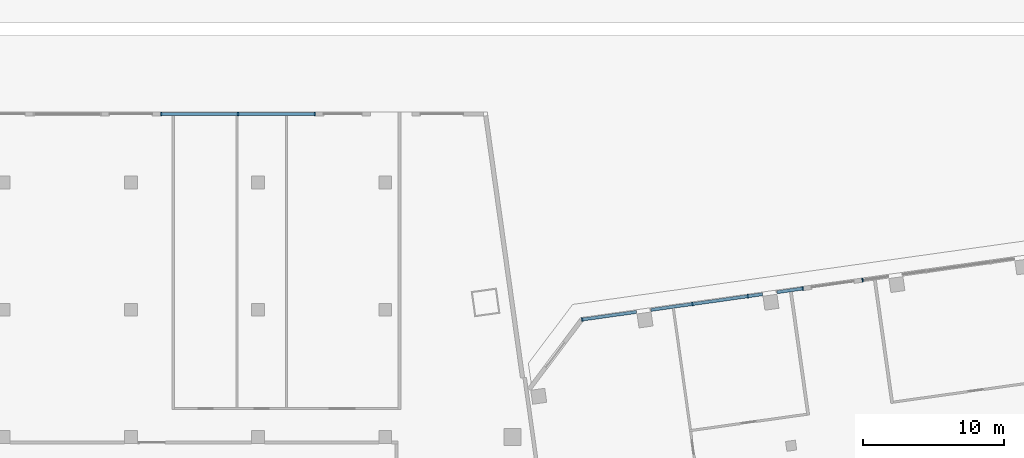
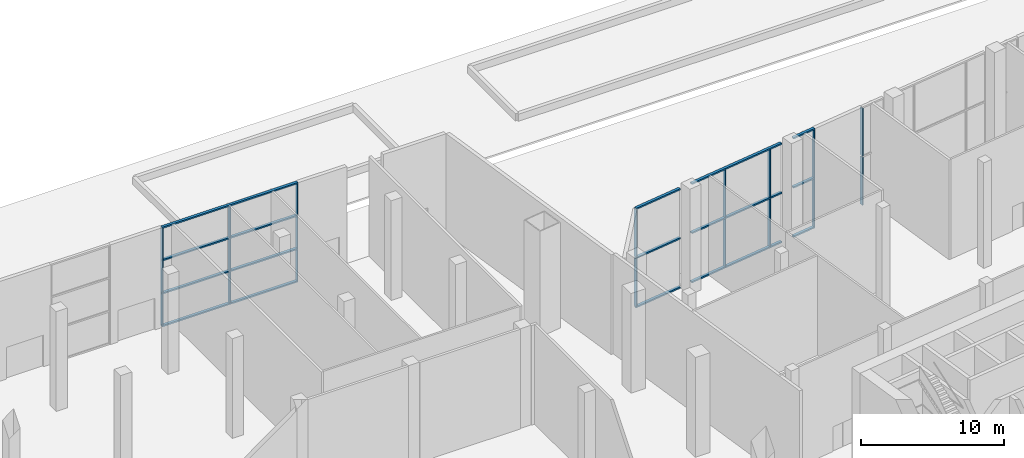
# One storey, part 6 of 34: 32 members, 3 elements without a shape of their own.
"""IFC4 building model written with IfcOpenShell, lengths in metres."""

from ifc_helpers import new_model, si_unit, direction, frame, origin, origin_2d, place, context, subcontext, project, spatial, rectangle, extrude, material, material_profile, profile_set, type_object, element, aggregate, save


model = new_model("IFC4")

# Units and contexts
model_context = context("Model", 3, precision=1e-05, world=origin(), true_north=direction((0.0, 1.0)))
body_context = subcontext(model_context, "Body", "Model", "MODEL_VIEW")
ifc_project = project(units=[si_unit("LENGTHUNIT", "METRE"), si_unit("AREAUNIT", "SQUARE_METRE"), si_unit("VOLUMEUNIT", "CUBIC_METRE"), si_unit("PLANEANGLEUNIT", "RADIAN"), si_unit("MASSUNIT", "GRAM", prefix="KILO")], contexts=[model_context])

# Site, building, storey
site_placement = place(None, origin())
site = spatial("IfcSite", under=ifc_project, at=site_placement, CompositionType="ELEMENT")
building_placement = place(site_placement, origin())
building = spatial("IfcBuilding", under=site, at=building_placement, Name="Mirante Cascada Hotel Towers", CompositionType="ELEMENT")
storey_placement = place(building_placement, origin())
storey = spatial("IfcBuildingStorey", under=building, at=storey_placement, Name="L00", CompositionType="ELEMENT", Elevation=0.0)

# Curtain wall, members
ifc_material_1 = material(Name="Aluminium mullion and transom frame with clear laminated glass", Category="aluminium")
curtain_wall_type = type_object("IfcCurtainWallType", Name="Podium curtain wall ECW3", PredefinedType="NOTDEFINED", material=ifc_material_1)
curtain_wall_1_placement = place(storey_placement, origin())
curtain_wall_1 = element("IfcCurtainWall", 1, at=curtain_wall_1_placement, inside=storey, type_object=curtain_wall_type, Name="Podium curtain wall L00 run front.5", PredefinedType="NOTDEFINED")
ifc_material_2 = material(Name="Anodised aluminium extrusion", Category="aluminium")
ifc_material_profile_1 = material_profile(ifc_material_2, rectangle(XDim=0.26, YDim=0.08, at=origin_2d()), Name="ECW3 MULLION 80x260")
ifc_profile_set_1 = profile_set([ifc_material_profile_1], Name="Anodised aluminium extrusion")
member_type_1 = type_object("IfcMemberType", Name="ECW3 mullion 80x260", PredefinedType="MULLION", material=ifc_profile_set_1)
member_1_placement = place(storey_placement, frame((51.7768, 20.0958, 0.12), z_axis=(0.0, 0.0, 1.0), x_axis=(0.1391731, -0.9902681, 0.0)))
member_1 = element("IfcMember", 2, at=member_1_placement, type_object=member_type_1, Name="ECW3 mullion 4", PredefinedType="MULLION", context=body_context, shape_type="SweptSolid", body=[
    extrude(rectangle(XDim=0.26, YDim=0.08, at=origin_2d()), origin(), (0.0, 0.0, 1.0), 4.07),
])
member_2_placement = place(storey_placement, frame((51.7768, 20.0958, 4.31), z_axis=(0.0, 0.0, 1.0), x_axis=(0.1391731, -0.9902681, 0.0)))
member_2 = element("IfcMember", 3, at=member_2_placement, type_object=member_type_1, Name="ECW3 mullion 4", PredefinedType="MULLION", context=body_context, shape_type="SweptSolid", body=[
    extrude(rectangle(XDim=0.26, YDim=0.08, at=origin_2d()), origin(), (0.0, 0.0, 1.0), 4.07),
])
aggregate(curtain_wall_1, [member_1, member_2])

curtain_wall_2_placement = place(storey_placement, origin())
curtain_wall_2 = element("IfcCurtainWall", 4, at=curtain_wall_2_placement, inside=storey, type_object=curtain_wall_type, Name="Podium curtain wall L00 run front.7", PredefinedType="NOTDEFINED")
member_3_placement = place(storey_placement, frame((47.5384, 19.5001, 0.12), z_axis=(0.0, 0.0, 1.0), x_axis=(0.1391731, -0.9902681, 0.0)))
member_3 = element("IfcMember", 5, at=member_3_placement, type_object=member_type_1, Name="ECW3 mullion 1", PredefinedType="MULLION", context=body_context, shape_type="SweptSolid", body=[
    extrude(rectangle(XDim=0.26, YDim=0.08, at=origin_2d()), origin(), (0.0, 0.0, 1.0), 4.07),
])
member_4_placement = place(storey_placement, frame((47.5384, 19.5001, 4.31), z_axis=(0.0, 0.0, 1.0), x_axis=(0.1391731, -0.9902681, 0.0)))
member_4 = element("IfcMember", 6, at=member_4_placement, type_object=member_type_1, Name="ECW3 mullion 1", PredefinedType="MULLION", context=body_context, shape_type="SweptSolid", body=[
    extrude(rectangle(XDim=0.26, YDim=0.08, at=origin_2d()), origin(), (0.0, 0.0, 1.0), 4.07),
])
member_5_placement = place(storey_placement, frame((43.6571, 18.9546, 0.12), z_axis=(0.0, 0.0, 1.0), x_axis=(0.1391731, -0.9902681, 0.0)))
member_5 = element("IfcMember", 7, at=member_5_placement, type_object=member_type_1, Name="ECW3 mullion 2", PredefinedType="MULLION", context=body_context, shape_type="SweptSolid", body=[
    extrude(rectangle(XDim=0.26, YDim=0.08, at=origin_2d()), origin(), (0.0, 0.0, 1.0), 4.07),
])
member_6_placement = place(storey_placement, frame((43.6571, 18.9546, 4.31), z_axis=(0.0, 0.0, 1.0), x_axis=(0.1391731, -0.9902681, 0.0)))
member_6 = element("IfcMember", 8, at=member_6_placement, type_object=member_type_1, Name="ECW3 mullion 2", PredefinedType="MULLION", context=body_context, shape_type="SweptSolid", body=[
    extrude(rectangle(XDim=0.26, YDim=0.08, at=origin_2d()), origin(), (0.0, 0.0, 1.0), 4.07),
])
member_7_placement = place(storey_placement, frame((39.7362, 18.4036, 0.12), z_axis=(0.0, 0.0, 1.0), x_axis=(0.1391731, -0.9902681, 0.0)))
member_7 = element("IfcMember", 9, at=member_7_placement, type_object=member_type_1, Name="ECW3 mullion 3", PredefinedType="MULLION", context=body_context, shape_type="SweptSolid", body=[
    extrude(rectangle(XDim=0.26, YDim=0.08, at=origin_2d()), origin(), (0.0, 0.0, 1.0), 4.07),
])
member_8_placement = place(storey_placement, frame((39.7362, 18.4036, 4.31), z_axis=(0.0, 0.0, 1.0), x_axis=(0.1391731, -0.9902681, 0.0)))
member_8 = element("IfcMember", 10, at=member_8_placement, type_object=member_type_1, Name="ECW3 mullion 3", PredefinedType="MULLION", context=body_context, shape_type="SweptSolid", body=[
    extrude(rectangle(XDim=0.26, YDim=0.08, at=origin_2d()), origin(), (0.0, 0.0, 1.0), 4.07),
])
member_9_placement = place(storey_placement, frame((31.9339, 17.307, 0.12), z_axis=(0.0, 0.0, 1.0), x_axis=(0.1391731, -0.9902681, 0.0)))
member_9 = element("IfcMember", 11, at=member_9_placement, type_object=member_type_1, Name="ECW3 mullion 5", PredefinedType="MULLION", context=body_context, shape_type="SweptSolid", body=[
    extrude(rectangle(XDim=0.26, YDim=0.08, at=origin_2d()), origin(), (0.0, 0.0, 1.0), 4.07),
])
member_10_placement = place(storey_placement, frame((31.9339, 17.307, 4.31), z_axis=(0.0, 0.0, 1.0), x_axis=(0.1391731, -0.9902681, 0.0)))
member_10 = element("IfcMember", 12, at=member_10_placement, type_object=member_type_1, Name="ECW3 mullion 5", PredefinedType="MULLION", context=body_context, shape_type="SweptSolid", body=[
    extrude(rectangle(XDim=0.26, YDim=0.08, at=origin_2d()), origin(), (0.0, 0.0, 1.0), 4.07),
])

curtain_wall_3_placement = place(storey_placement, origin())
curtain_wall_3 = element("IfcCurtainWall", 13, at=curtain_wall_3_placement, inside=storey, type_object=curtain_wall_type, Name="Podium curtain wall L00 run 4.3", PredefinedType="NOTDEFINED")
member_11_placement = place(storey_placement, frame((13.01, 31.85, 0.12), z_axis=(0.0, 0.0, 1.0), x_axis=(0.0, -1.0, 0.0)))
member_11 = element("IfcMember", 14, at=member_11_placement, type_object=member_type_1, Name="ECW3 mullion 1", PredefinedType="MULLION", context=body_context, shape_type="SweptSolid", body=[
    extrude(rectangle(XDim=0.26, YDim=0.08, at=origin_2d()), origin(), (0.0, 0.0, 1.0), 2.6533),
])
member_12_placement = place(storey_placement, frame((13.01, 31.85, 2.8933), z_axis=(0.0, 0.0, 1.0), x_axis=(0.0, -1.0, 0.0)))
member_12 = element("IfcMember", 15, at=member_12_placement, type_object=member_type_1, Name="ECW3 mullion 1", PredefinedType="MULLION", context=body_context, shape_type="SweptSolid", body=[
    extrude(rectangle(XDim=0.26, YDim=0.08, at=origin_2d()), origin(), (0.0, 0.0, 1.0), 2.7134),
])
member_13_placement = place(storey_placement, frame((13.01, 31.85, 5.7267), z_axis=(0.0, 0.0, 1.0), x_axis=(0.0, -1.0, 0.0)))
member_13 = element("IfcMember", 16, at=member_13_placement, type_object=member_type_1, Name="ECW3 mullion 1", PredefinedType="MULLION", context=body_context, shape_type="SweptSolid", body=[
    extrude(rectangle(XDim=0.26, YDim=0.08, at=origin_2d()), origin(), (0.0, 0.0, 1.0), 2.6533),
])
member_14_placement = place(storey_placement, frame((7.575, 31.85, 0.12), z_axis=(0.0, 0.0, 1.0), x_axis=(0.0, -1.0, 0.0)))
member_14 = element("IfcMember", 17, at=member_14_placement, type_object=member_type_1, Name="ECW3 mullion 2", PredefinedType="MULLION", context=body_context, shape_type="SweptSolid", body=[
    extrude(rectangle(XDim=0.26, YDim=0.08, at=origin_2d()), origin(), (0.0, 0.0, 1.0), 2.6533),
])
member_15_placement = place(storey_placement, frame((7.575, 31.85, 2.8933), z_axis=(0.0, 0.0, 1.0), x_axis=(0.0, -1.0, 0.0)))
member_15 = element("IfcMember", 18, at=member_15_placement, type_object=member_type_1, Name="ECW3 mullion 2", PredefinedType="MULLION", context=body_context, shape_type="SweptSolid", body=[
    extrude(rectangle(XDim=0.26, YDim=0.08, at=origin_2d()), origin(), (0.0, 0.0, 1.0), 2.7134),
])
member_16_placement = place(storey_placement, frame((7.575, 31.85, 5.7267), z_axis=(0.0, 0.0, 1.0), x_axis=(0.0, -1.0, 0.0)))
member_16 = element("IfcMember", 19, at=member_16_placement, type_object=member_type_1, Name="ECW3 mullion 2", PredefinedType="MULLION", context=body_context, shape_type="SweptSolid", body=[
    extrude(rectangle(XDim=0.26, YDim=0.08, at=origin_2d()), origin(), (0.0, 0.0, 1.0), 2.6533),
])
member_17_placement = place(storey_placement, frame((2.14, 31.85, 0.12), z_axis=(0.0, 0.0, 1.0), x_axis=(0.0, -1.0, 0.0)))
member_17 = element("IfcMember", 20, at=member_17_placement, type_object=member_type_1, Name="ECW3 mullion 3", PredefinedType="MULLION", context=body_context, shape_type="SweptSolid", body=[
    extrude(rectangle(XDim=0.26, YDim=0.08, at=origin_2d()), origin(), (0.0, 0.0, 1.0), 2.6533),
])
member_18_placement = place(storey_placement, frame((2.14, 31.85, 2.8933), z_axis=(0.0, 0.0, 1.0), x_axis=(0.0, -1.0, 0.0)))
member_18 = element("IfcMember", 21, at=member_18_placement, type_object=member_type_1, Name="ECW3 mullion 3", PredefinedType="MULLION", context=body_context, shape_type="SweptSolid", body=[
    extrude(rectangle(XDim=0.26, YDim=0.08, at=origin_2d()), origin(), (0.0, 0.0, 1.0), 2.7134),
])
member_19_placement = place(storey_placement, frame((2.14, 31.85, 5.7267), z_axis=(0.0, 0.0, 1.0), x_axis=(0.0, -1.0, 0.0)))
member_19 = element("IfcMember", 22, at=member_19_placement, type_object=member_type_1, Name="ECW3 mullion 3", PredefinedType="MULLION", context=body_context, shape_type="SweptSolid", body=[
    extrude(rectangle(XDim=0.26, YDim=0.08, at=origin_2d()), origin(), (0.0, 0.0, 1.0), 2.6533),
])

# Member
ifc_material_3 = material(Name="Anodised aluminium extrusion", Category="aluminium")
ifc_material_profile_2 = material_profile(ifc_material_3, rectangle(XDim=0.22, YDim=0.12, at=origin_2d()), Name="ECW3 TRANSOM 120x220")
ifc_profile_set_2 = profile_set([ifc_material_profile_2], Name="Anodised aluminium extrusion")
member_type_2 = type_object("IfcMemberType", Name="ECW3 transom 120x220", PredefinedType="USERDEFINED", material=ifc_profile_set_2)
member_20_placement = place(storey_placement, frame((47.5781, 19.5057, 0.06), z_axis=(-0.990264, -0.1392019, 0.0), x_axis=(0.1392019, -0.990264, 0.0)))
member_20 = element("IfcMember", 23, at=member_20_placement, type_object=member_type_2, Name="ECW3 sill transom", ObjectType="TRANSOM", PredefinedType="USERDEFINED", context=body_context, shape_type="SweptSolid", body=[
    extrude(rectangle(XDim=0.22, YDim=0.12, at=origin_2d()), origin(), (0.0, 0.0, 1.0), 1.88),
])

member_21_placement = place(storey_placement, frame((44.6865, 19.0993, 0.06), z_axis=(-0.9902685, -0.1391698, 0.0), x_axis=(0.1391698, -0.9902685, 0.0)))
member_21 = element("IfcMember", 24, at=member_21_placement, type_object=member_type_2, Name="ECW3 sill transom", ObjectType="TRANSOM", PredefinedType="USERDEFINED", context=body_context, shape_type="SweptSolid", body=[
    extrude(rectangle(XDim=0.22, YDim=0.12, at=origin_2d()), origin(), (0.0, 0.0, 1.0), 7.9601),
])

member_22_placement = place(storey_placement, frame((35.7741, 17.8467, 0.06), z_axis=(-0.9902705, -0.1391555, 0.0), x_axis=(0.1391555, -0.9902705, 0.0)))
member_22 = element("IfcMember", 25, at=member_22_placement, type_object=member_type_2, Name="ECW3 sill transom", ObjectType="TRANSOM", PredefinedType="USERDEFINED", context=body_context, shape_type="SweptSolid", body=[
    extrude(rectangle(XDim=0.22, YDim=0.12, at=origin_2d()), origin(), (0.0, 0.0, 1.0), 3.9179),
])

member_23_placement = place(storey_placement, frame((47.5781, 19.5057, 4.25), z_axis=(-0.990264, -0.1392019, 0.0), x_axis=(0.1392019, -0.990264, 0.0)))
member_23 = element("IfcMember", 26, at=member_23_placement, type_object=member_type_2, Name="ECW3 intermediate transom", ObjectType="TRANSOM", PredefinedType="USERDEFINED", context=body_context, shape_type="SweptSolid", body=[
    extrude(rectangle(XDim=0.22, YDim=0.12, at=origin_2d()), origin(), (0.0, 0.0, 1.0), 1.88),
])

member_24_placement = place(storey_placement, frame((44.6865, 19.0993, 4.25), z_axis=(-0.9902685, -0.1391698, 0.0), x_axis=(0.1391698, -0.9902685, 0.0)))
member_24 = element("IfcMember", 27, at=member_24_placement, type_object=member_type_2, Name="ECW3 intermediate transom", ObjectType="TRANSOM", PredefinedType="USERDEFINED", context=body_context, shape_type="SweptSolid", body=[
    extrude(rectangle(XDim=0.22, YDim=0.12, at=origin_2d()), origin(), (0.0, 0.0, 1.0), 7.9601),
])

member_25_placement = place(storey_placement, frame((35.7741, 17.8467, 4.25), z_axis=(-0.9902705, -0.1391555, 0.0), x_axis=(0.1391555, -0.9902705, 0.0)))
member_25 = element("IfcMember", 28, at=member_25_placement, type_object=member_type_2, Name="ECW3 intermediate transom", ObjectType="TRANSOM", PredefinedType="USERDEFINED", context=body_context, shape_type="SweptSolid", body=[
    extrude(rectangle(XDim=0.22, YDim=0.12, at=origin_2d()), origin(), (0.0, 0.0, 1.0), 3.9179),
])

member_26_placement = place(storey_placement, frame((47.5781, 19.5057, 8.44), z_axis=(-0.990264, -0.1392019, 0.0), x_axis=(0.1392019, -0.990264, 0.0)))
member_26 = element("IfcMember", 29, at=member_26_placement, type_object=member_type_2, Name="ECW3 head transom", ObjectType="TRANSOM", PredefinedType="USERDEFINED", context=body_context, shape_type="SweptSolid", body=[
    extrude(rectangle(XDim=0.22, YDim=0.12, at=origin_2d()), origin(), (0.0, 0.0, 1.0), 1.88),
])

member_27_placement = place(storey_placement, frame((44.6865, 19.0993, 8.44), z_axis=(-0.9902685, -0.1391698, 0.0), x_axis=(0.1391698, -0.9902685, 0.0)))
member_27 = element("IfcMember", 30, at=member_27_placement, type_object=member_type_2, Name="ECW3 head transom", ObjectType="TRANSOM", PredefinedType="USERDEFINED", context=body_context, shape_type="SweptSolid", body=[
    extrude(rectangle(XDim=0.22, YDim=0.12, at=origin_2d()), origin(), (0.0, 0.0, 1.0), 7.9601),
])

member_28_placement = place(storey_placement, frame((35.7741, 17.8467, 8.44), z_axis=(-0.9902705, -0.1391555, 0.0), x_axis=(0.1391555, -0.9902705, 0.0)))
member_28 = element("IfcMember", 31, at=member_28_placement, type_object=member_type_2, Name="ECW3 head transom", ObjectType="TRANSOM", PredefinedType="USERDEFINED", context=body_context, shape_type="SweptSolid", body=[
    extrude(rectangle(XDim=0.22, YDim=0.12, at=origin_2d()), origin(), (0.0, 0.0, 1.0), 3.9179),
])

aggregate(curtain_wall_2, [member_20, member_21, member_22, member_23, member_24, member_25, member_26, member_27, member_28, member_3, member_4, member_5, member_6, member_7, member_8, member_9, member_10])

member_29_placement = place(storey_placement, frame((13.05, 31.85, 0.06), z_axis=(-1.0, 0.0, 0.0), x_axis=(0.0, -1.0, 0.0)))
member_29 = element("IfcMember", 32, at=member_29_placement, type_object=member_type_2, Name="ECW3 sill transom", ObjectType="TRANSOM", PredefinedType="USERDEFINED", context=body_context, shape_type="SweptSolid", body=[
    extrude(rectangle(XDim=0.22, YDim=0.12, at=origin_2d()), origin(), (0.0, 0.0, 1.0), 10.95),
])

member_30_placement = place(storey_placement, frame((13.05, 31.85, 2.8333), z_axis=(-1.0, 0.0, 0.0), x_axis=(0.0, -1.0, 0.0)))
member_30 = element("IfcMember", 33, at=member_30_placement, type_object=member_type_2, Name="ECW3 intermediate transom", ObjectType="TRANSOM", PredefinedType="USERDEFINED", context=body_context, shape_type="SweptSolid", body=[
    extrude(rectangle(XDim=0.22, YDim=0.12, at=origin_2d()), origin(), (0.0, 0.0, 1.0), 10.95),
])

member_31_placement = place(storey_placement, frame((13.05, 31.85, 5.6667), z_axis=(-1.0, 0.0, 0.0), x_axis=(0.0, -1.0, 0.0)))
member_31 = element("IfcMember", 34, at=member_31_placement, type_object=member_type_2, Name="ECW3 intermediate transom", ObjectType="TRANSOM", PredefinedType="USERDEFINED", context=body_context, shape_type="SweptSolid", body=[
    extrude(rectangle(XDim=0.22, YDim=0.12, at=origin_2d()), origin(), (0.0, 0.0, 1.0), 10.95),
])

member_32_placement = place(storey_placement, frame((13.05, 31.85, 8.44), z_axis=(-1.0, 0.0, 0.0), x_axis=(0.0, -1.0, 0.0)))
member_32 = element("IfcMember", 35, at=member_32_placement, type_object=member_type_2, Name="ECW3 head transom", ObjectType="TRANSOM", PredefinedType="USERDEFINED", context=body_context, shape_type="SweptSolid", body=[
    extrude(rectangle(XDim=0.22, YDim=0.12, at=origin_2d()), origin(), (0.0, 0.0, 1.0), 10.95),
])

aggregate(curtain_wall_3, [member_29, member_30, member_31, member_32, member_11, member_12, member_13, member_14, member_15, member_16, member_17, member_18, member_19])

save(model, "model.ifc")
